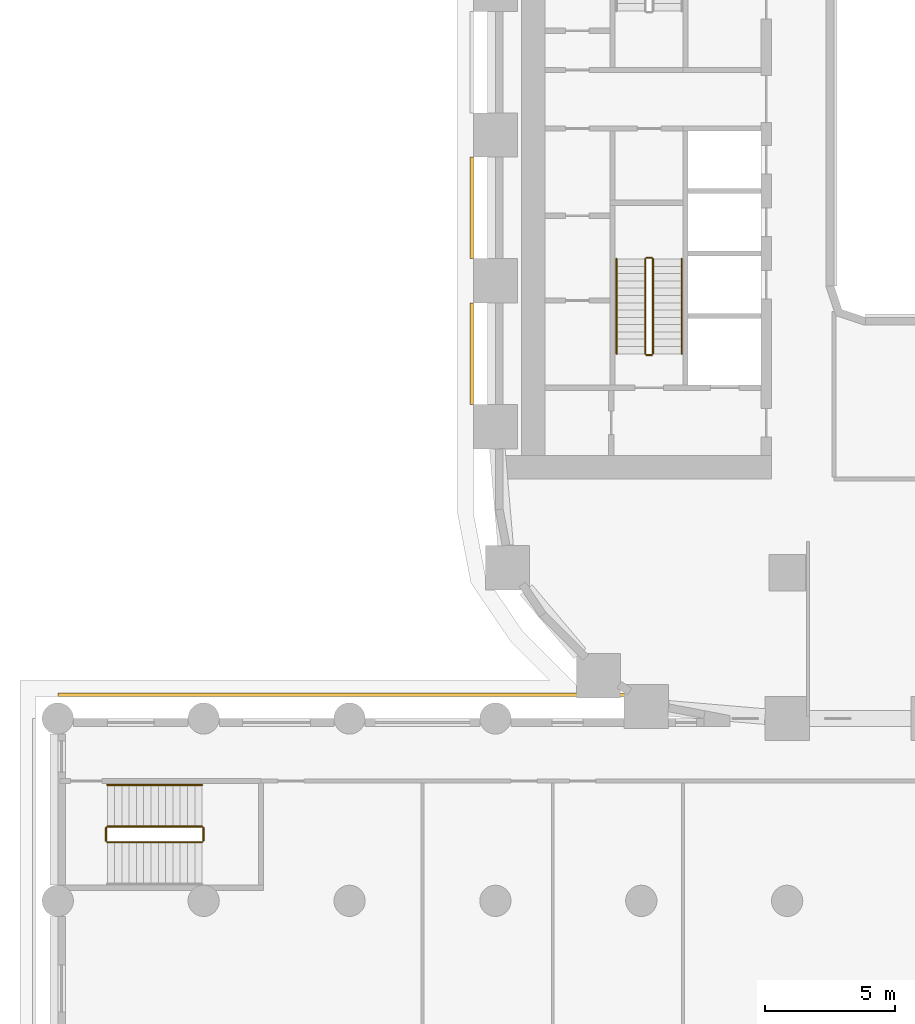
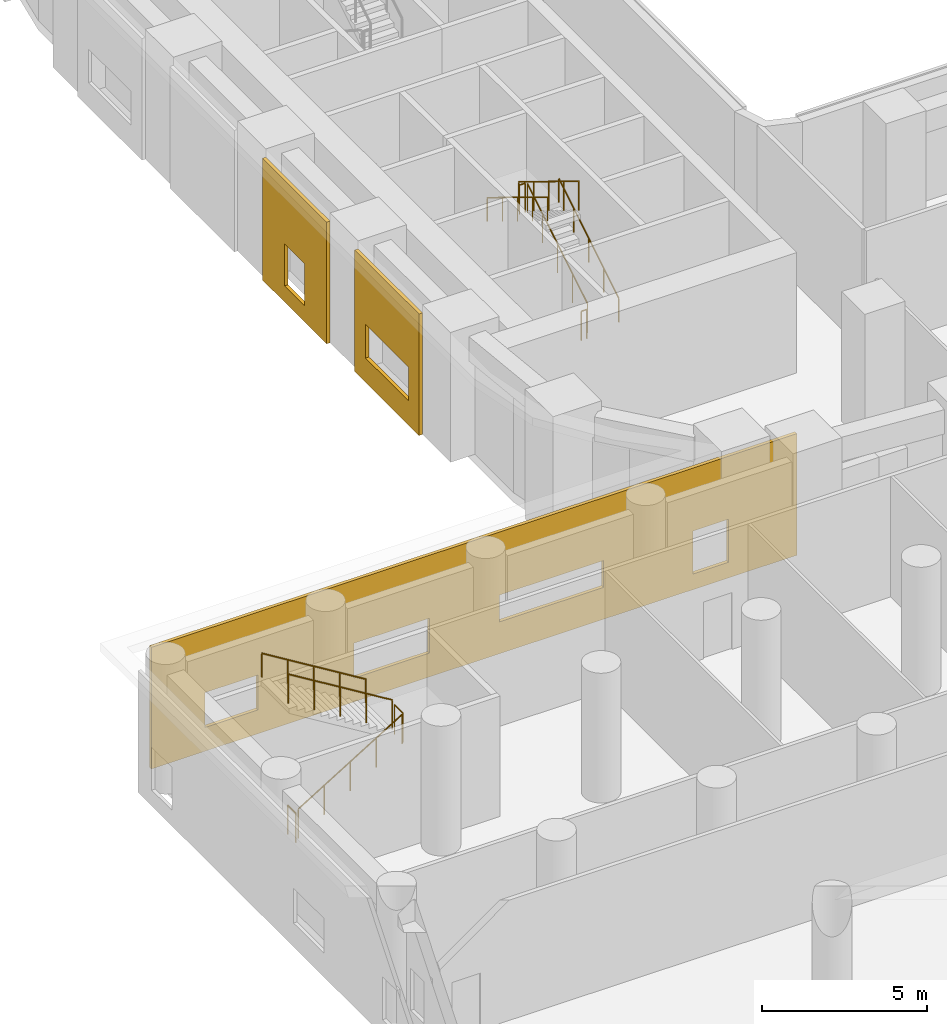
# One storey, part 19 of 24: 11 railings, 3 coverings.
"""IFC4 building model written with IfcOpenShell, lengths in metres."""

from ifc_helpers import new_model, si_unit, direction, frame, origin, origin_2d, place, context, subcontext, project, spatial, polyline, circle, outline, extrude, material, layer, layer_set, type_object, element, save


model = new_model("IFC4")

# Units and contexts
model_context = context("Model", 3, precision=1e-05, world=origin(), true_north=direction((0.0, 1.0)))
body_context = subcontext(model_context, "Body", "Model", "MODEL_VIEW")
ifc_project = project(units=[si_unit("LENGTHUNIT", "METRE"), si_unit("AREAUNIT", "SQUARE_METRE"), si_unit("VOLUMEUNIT", "CUBIC_METRE"), si_unit("PLANEANGLEUNIT", "RADIAN"), si_unit("MASSUNIT", "GRAM", prefix="KILO")], contexts=[model_context])

# Site, building, storey
site_placement = place(None, origin())
site = spatial("IfcSite", under=ifc_project, at=site_placement, CompositionType="ELEMENT")
building_placement = place(site_placement, origin())
building = spatial("IfcBuilding", under=site, at=building_placement, Name="Kiln Ring Residences", CompositionType="ELEMENT")
storey_placement = place(building_placement, frame((0.0, 0.0, 11.300048828125)))
storey = spatial("IfcBuildingStorey", under=building, at=storey_placement, Name="L02", CompositionType="ELEMENT", Elevation=11.300048828125)

# Railings
ifc_material_1 = material(Name="Stainless steel", Category="steel")
railing_type_1 = type_object("IfcRailingType", Name="CORE-STAIR-GUARD", PredefinedType="GUARDRAIL", material=ifc_material_1)
railing_1_placement = place(storey_placement, frame((-21.949951171875, -8.39990234375, 0.17138671875)))
element("IfcRailing", 1, at=railing_1_placement, inside=storey, type_object=railing_type_1, Name="L02 W-STS stair guard 1", PredefinedType="GUARDRAIL", context=body_context, shape_type="SweptSolid", body=[
    extrude(circle(Radius=0.02392578125, at=origin_2d()), frame((0.0, 0.0, 1.076171875), z_axis=(0.0, 0.852850264322, 0.5221555579), x_axis=(-1.0, 0.0, 0.0)), (0.0, 0.0, 1.0), 4.267822265625),
    extrude(circle(Radius=0.02099609375, at=origin_2d()), origin(), (0.0, 0.0, 1.0), 1.052001953125),
    extrude(circle(Radius=0.02099609375, at=origin_2d()), frame((0.0, 0.909912109375, 0.55712890625)), (0.0, 0.0, 1.0), 1.052001953125),
    extrude(circle(Radius=0.02099609375, at=origin_2d()), frame((0.0, 1.81982421875, 1.1142578125)), (0.0, 0.0, 1.0), 1.052001953125),
    extrude(circle(Radius=0.02099609375, at=origin_2d()), frame((0.0, 2.72998046875, 1.67138671875)), (0.0, 0.0, 1.0), 1.052001953125),
    extrude(circle(Radius=0.02099609375, at=origin_2d()), frame((0.0, 3.639892578125, 2.228515625)), (0.0, 0.0, 1.0), 1.052001953125),
])
railing_2_placement = place(storey_placement, frame((-22.0, -4.7099609375, 2.39990234375)))
element("IfcRailing", 2, at=railing_2_placement, inside=storey, type_object=railing_type_1, Name="L02 W-STS stair guard 2", PredefinedType="GUARDRAIL", context=body_context, shape_type="SweptSolid", body=[
    extrude(circle(Radius=0.02392578125, at=origin_2d()), frame((0.0, 0.0, 1.076171875), z_axis=(-1.0, 0.0, 0.0), x_axis=(0.0, -1.0, 0.0)), (0.0, 0.0, 1.0), 0.199951171875),
    extrude(circle(Radius=0.02099609375, at=origin_2d()), origin(), (0.0, 0.0, 1.0), 1.052001953125),
    extrude(circle(Radius=0.02099609375, at=origin_2d()), frame((-0.199951171875, 0.0, 0.0)), (0.0, 0.0, 1.0), 1.052001953125),
])
railing_3_placement = place(storey_placement, frame((-22.25, -4.760009765625, 2.5712890625)))
element("IfcRailing", 3, at=railing_3_placement, inside=storey, type_object=railing_type_1, Name="L02 W-STS stair guard 3", PredefinedType="GUARDRAIL", context=body_context, shape_type="SweptSolid", body=[
    extrude(circle(Radius=0.02392578125, at=origin_2d()), frame((0.0, 0.0, 1.076171875), z_axis=(0.0, -0.852824790078, 0.522197163366), x_axis=(1.0, 0.0, 0.0)), (0.0, 0.0, 1.0), 4.26806640625),
    extrude(circle(Radius=0.02099609375, at=origin_2d()), origin(), (0.0, 0.0, 1.0), 1.052001953125),
    extrude(circle(Radius=0.02099609375, at=origin_2d()), frame((0.0, -0.909912109375, 0.55712890625)), (0.0, 0.0, 1.0), 1.052001953125),
    extrude(circle(Radius=0.02099609375, at=origin_2d()), frame((0.0, -1.81982421875, 1.1142578125)), (0.0, 0.0, 1.0), 1.052001953125),
    extrude(circle(Radius=0.02099609375, at=origin_2d()), frame((0.0, -2.72998046875, 1.671630859375)), (0.0, 0.0, 1.0), 1.052001953125),
    extrude(circle(Radius=0.02099609375, at=origin_2d()), frame((0.0, -3.639892578125, 2.228759765625)), (0.0, 0.0, 1.0), 1.052001953125),
])
railing_4_placement = place(storey_placement, frame((-22.0, -8.449951171875, 0.0)))
element("IfcRailing", 4, at=railing_4_placement, inside=storey, type_object=railing_type_1, Name="L02 W-STS stair guard 4", PredefinedType="GUARDRAIL", context=body_context, shape_type="SweptSolid", body=[
    extrude(circle(Radius=0.02392578125, at=origin_2d()), frame((0.0, 0.0, 1.076171875), z_axis=(-1.0, 0.0, 0.0), x_axis=(0.0, -1.0, 0.0)), (0.0, 0.0, 1.0), 0.199951171875),
    extrude(circle(Radius=0.02099609375, at=origin_2d()), origin(), (0.0, 0.0, 1.0), 1.052001953125),
    extrude(circle(Radius=0.02099609375, at=origin_2d()), frame((-0.199951171875, 0.0, 0.0)), (0.0, 0.0, 1.0), 1.052001953125),
])
ifc_material_2 = material(Name="Stainless steel", Category="steel")
railing_type_2 = type_object("IfcRailingType", Name="CORE-STAIR-HANDRAIL", PredefinedType="HANDRAIL", material=ifc_material_2)
railing_5_placement = place(storey_placement, frame((-20.85009765625, -8.39990234375, 0.17138671875)))
element("IfcRailing", 5, at=railing_5_placement, inside=storey, type_object=railing_type_2, Name="L02 W-STS stair handrail 1", PredefinedType="HANDRAIL", context=body_context, shape_type="SweptSolid", body=[
    extrude(circle(Radius=0.02392578125, at=origin_2d()), frame((0.0, 0.0, 0.8759765625), z_axis=(0.0, 0.852850264322, 0.5221555579), x_axis=(-1.0, 0.0, 0.0)), (0.0, 0.0, 1.0), 4.267822265625),
    extrude(circle(Radius=0.02099609375, at=origin_2d()), origin(), (0.0, 0.0, 1.0), 0.851806640625),
    extrude(circle(Radius=0.02099609375, at=origin_2d()), frame((0.0, 0.909912109375, 0.55712890625)), (0.0, 0.0, 1.0), 0.851806640625),
    extrude(circle(Radius=0.02099609375, at=origin_2d()), frame((0.0, 1.81982421875, 1.1142578125)), (0.0, 0.0, 1.0), 0.851806640625),
    extrude(circle(Radius=0.02099609375, at=origin_2d()), frame((0.0, 2.72998046875, 1.67138671875)), (0.0, 0.0, 1.0), 0.851806640625),
    extrude(circle(Radius=0.02099609375, at=origin_2d()), frame((0.0, 3.639892578125, 2.228515625)), (0.0, 0.0, 1.0), 0.851806640625),
])
railing_6_placement = place(storey_placement, frame((-23.35009765625, -4.760009765625, 2.5712890625)))
element("IfcRailing", 6, at=railing_6_placement, inside=storey, type_object=railing_type_2, Name="L02 W-STS stair handrail 2", PredefinedType="HANDRAIL", context=body_context, shape_type="SweptSolid", body=[
    extrude(circle(Radius=0.02392578125, at=origin_2d()), frame((0.0, 0.0, 0.8759765625), z_axis=(0.0, -0.852824790078, 0.522197163366), x_axis=(1.0, 0.0, 0.0)), (0.0, 0.0, 1.0), 4.26806640625),
    extrude(circle(Radius=0.02099609375, at=origin_2d()), origin(), (0.0, 0.0, 1.0), 0.851806640625),
    extrude(circle(Radius=0.02099609375, at=origin_2d()), frame((0.0, -0.909912109375, 0.55712890625)), (0.0, 0.0, 1.0), 0.851806640625),
    extrude(circle(Radius=0.02099609375, at=origin_2d()), frame((0.0, -1.81982421875, 1.1142578125)), (0.0, 0.0, 1.0), 0.851806640625),
    extrude(circle(Radius=0.02099609375, at=origin_2d()), frame((0.0, -2.72998046875, 1.671630859375)), (0.0, 0.0, 1.0), 0.851806640625),
    extrude(circle(Radius=0.02099609375, at=origin_2d()), frame((0.0, -3.639892578125, 2.228759765625)), (0.0, 0.0, 1.0), 0.851806640625),
])
ifc_material_3 = material(Name="Stainless steel", Category="steel")
railing_type_3 = type_object("IfcRailingType", Name="PODIUM-STAIR-GUARD", PredefinedType="GUARDRAIL", material=ifc_material_3)
railing_7_placement = place(storey_placement, frame((-42.89990234375, -27.14990234375, 0.17138671875)))
element("IfcRailing", 7, at=railing_7_placement, inside=storey, type_object=railing_type_3, Name="L02 PS-W stair guard 1", PredefinedType="GUARDRAIL", context=body_context, shape_type="SweptSolid", body=[
    extrude(circle(Radius=0.02392578125, at=origin_2d()), frame((0.0, 0.0, 1.076171875), z_axis=(0.852850264322, 0.0, 0.5221555579), x_axis=(0.0, 1.0, 0.0)), (0.0, 0.0, 1.0), 4.267822265625),
    extrude(circle(Radius=0.02099609375, at=origin_2d()), origin(), (0.0, 0.0, 1.0), 1.052001953125),
    extrude(circle(Radius=0.02099609375, at=origin_2d()), frame((0.909912109375, 0.0, 0.55712890625)), (0.0, 0.0, 1.0), 1.052001953125),
    extrude(circle(Radius=0.02099609375, at=origin_2d()), frame((1.81982421875, 0.0, 1.1142578125)), (0.0, 0.0, 1.0), 1.052001953125),
    extrude(circle(Radius=0.02099609375, at=origin_2d()), frame((2.72998046875, 0.0, 1.67138671875)), (0.0, 0.0, 1.0), 1.052001953125),
    extrude(circle(Radius=0.02099609375, at=origin_2d()), frame((3.639892578125, 0.0, 2.228515625)), (0.0, 0.0, 1.0), 1.052001953125),
])
railing_8_placement = place(storey_placement, frame((-39.2099609375, -27.10009765625, 2.39990234375)))
element("IfcRailing", 8, at=railing_8_placement, inside=storey, type_object=railing_type_3, Name="L02 PS-W stair guard 2", PredefinedType="GUARDRAIL", context=body_context, shape_type="SweptSolid", body=[
    extrude(circle(Radius=0.02392578125, at=origin_2d()), frame((0.0, 0.0, 1.076171875), z_axis=(0.0, 1.0, 0.0), x_axis=(-1.0, 0.0, 0.0)), (0.0, 0.0, 1.0), 0.5),
    extrude(circle(Radius=0.02099609375, at=origin_2d()), origin(), (0.0, 0.0, 1.0), 1.052001953125),
    extrude(circle(Radius=0.02099609375, at=origin_2d()), frame((0.0, 0.5, 0.0)), (0.0, 0.0, 1.0), 1.052001953125),
])
railing_9_placement = place(storey_placement, frame((-39.260009765625, -26.550048828125, 2.5712890625)))
element("IfcRailing", 9, at=railing_9_placement, inside=storey, type_object=railing_type_3, Name="L02 PS-W stair guard 3", PredefinedType="GUARDRAIL", context=body_context, shape_type="SweptSolid", body=[
    extrude(circle(Radius=0.02392578125, at=origin_2d()), frame((0.0, 0.0, 1.076171875), z_axis=(-0.852824790078, 0.0, 0.522197163366), x_axis=(0.0, -1.0, 0.0)), (0.0, 0.0, 1.0), 4.26806640625),
    extrude(circle(Radius=0.02099609375, at=origin_2d()), origin(), (0.0, 0.0, 1.0), 1.052001953125),
    extrude(circle(Radius=0.02099609375, at=origin_2d()), frame((-0.909912109375, 0.0, 0.55712890625)), (0.0, 0.0, 1.0), 1.052001953125),
    extrude(circle(Radius=0.02099609375, at=origin_2d()), frame((-1.81982421875, 0.0, 1.1142578125)), (0.0, 0.0, 1.0), 1.052001953125),
    extrude(circle(Radius=0.02099609375, at=origin_2d()), frame((-2.72998046875, 0.0, 1.671630859375)), (0.0, 0.0, 1.0), 1.052001953125),
    extrude(circle(Radius=0.02099609375, at=origin_2d()), frame((-3.639892578125, 0.0, 2.228759765625)), (0.0, 0.0, 1.0), 1.052001953125),
])
railing_10_placement = place(storey_placement, frame((-42.949951171875, -27.10009765625, 0.0)))
element("IfcRailing", 10, at=railing_10_placement, inside=storey, type_object=railing_type_3, Name="L02 PS-W stair guard 4", PredefinedType="GUARDRAIL", context=body_context, shape_type="SweptSolid", body=[
    extrude(circle(Radius=0.02392578125, at=origin_2d()), frame((0.0, 0.0, 1.076171875), z_axis=(0.0, 1.0, 0.0), x_axis=(-1.0, 0.0, 0.0)), (0.0, 0.0, 1.0), 0.5),
    extrude(circle(Radius=0.02099609375, at=origin_2d()), origin(), (0.0, 0.0, 1.0), 1.052001953125),
    extrude(circle(Radius=0.02099609375, at=origin_2d()), frame((0.0, 0.5, 0.0)), (0.0, 0.0, 1.0), 1.052001953125),
])
ifc_material_4 = material(Name="Stainless steel", Category="steel")
railing_type_4 = type_object("IfcRailingType", Name="PODIUM-STAIR-HANDRAIL", PredefinedType="HANDRAIL", material=ifc_material_4)
railing_11_placement = place(storey_placement, frame((-39.260009765625, -24.949951171875, 2.5712890625)))
element("IfcRailing", 11, at=railing_11_placement, inside=storey, type_object=railing_type_4, Name="L02 PS-W stair handrail 2", PredefinedType="HANDRAIL", context=body_context, shape_type="SweptSolid", body=[
    extrude(circle(Radius=0.02392578125, at=origin_2d()), frame((0.0, 0.0, 0.8759765625), z_axis=(-0.852824790078, 0.0, 0.522197163366), x_axis=(0.0, -1.0, 0.0)), (0.0, 0.0, 1.0), 4.26806640625),
    extrude(circle(Radius=0.02099609375, at=origin_2d()), origin(), (0.0, 0.0, 1.0), 0.851806640625),
    extrude(circle(Radius=0.02099609375, at=origin_2d()), frame((-0.909912109375, 0.0, 0.55712890625)), (0.0, 0.0, 1.0), 0.851806640625),
    extrude(circle(Radius=0.02099609375, at=origin_2d()), frame((-1.81982421875, 0.0, 1.1142578125)), (0.0, 0.0, 1.0), 0.851806640625),
    extrude(circle(Radius=0.02099609375, at=origin_2d()), frame((-2.72998046875, 0.0, 1.671630859375)), (0.0, 0.0, 1.0), 0.851806640625),
    extrude(circle(Radius=0.02099609375, at=origin_2d()), frame((-3.639892578125, 0.0, 2.228759765625)), (0.0, 0.0, 1.0), 0.851806640625),
])

# Coverings
ifc_material_5 = material(Name="Brick masonry, dark clay brick", Category="masonry")
ifc_layer = layer(ifc_material_5, 0.1201171875)
ifc_layer_set = layer_set([ifc_layer], Name="RAINSCREEN PANEL 120")
covering_type = type_object("IfcCoveringType", Name="RAINSCREEN PANEL 120", PredefinedType="CLADDING", material=ifc_layer_set)
covering_1_placement = place(storey_placement, frame((-28.909912109375, -0.85009765625, 0.0), z_axis=(0.0, 0.0, 1.0), x_axis=(0.0, -1.0, 0.0)))
element("IfcCovering", 12, at=covering_1_placement, inside=storey, type_object=covering_type, Name="RAINSCREEN L02", PredefinedType="CLADDING", context=body_context, shape_type="SweptSolid", body=[
    extrude(outline(polyline([(0.0, 0.0), (3.89990234375, 0.0), (3.89990234375, 4.5), (0.0, 4.5), (0.0, 0.0)]), holes=[polyline([(1.35009765625, 2.14990234375), (1.35009765625, 0.599853515625), (2.550048828125, 0.599853515625), (2.550048828125, 2.14990234375), (1.35009765625, 2.14990234375)])]), frame((0.0, 0.06005859375, 0.0), z_axis=(0.0, -1.0, 0.0), x_axis=(1.0, 0.0, 0.0)), (0.0, 0.0, 1.0), 0.1201171875),
])
covering_2_placement = place(storey_placement, frame((-28.909912109375, -6.449951171875, 0.0), z_axis=(0.0, 0.0, 1.0), x_axis=(0.0, -1.0, 0.0)))
element("IfcCovering", 13, at=covering_2_placement, inside=storey, type_object=covering_type, Name="RAINSCREEN L02", PredefinedType="CLADDING", context=body_context, shape_type="SweptSolid", body=[
    extrude(outline(polyline([(0.0, 0.0), (3.89990234375, 0.0), (3.89990234375, 4.5), (0.0, 4.5), (0.0, 0.0)]), holes=[polyline([(0.64990234375, 2.14990234375), (0.64990234375, 0.89990234375), (3.25, 0.89990234375), (3.25, 2.14990234375), (0.64990234375, 2.14990234375)])]), frame((0.0, 0.06005859375, 0.0), z_axis=(0.0, -1.0, 0.0), x_axis=(1.0, 0.0, 0.0)), (0.0, 0.0, 1.0), 0.1201171875),
])
covering_3_placement = place(storey_placement, frame((-22.208740234375, -21.489990234375, 0.0), z_axis=(0.0, 0.0, 1.0), x_axis=(-1.0, 0.0, 0.0)))
element("IfcCovering", 14, at=covering_3_placement, inside=storey, type_object=covering_type, Name="RAINSCREEN L02", PredefinedType="CLADDING", context=body_context, shape_type="SweptSolid", body=[
    extrude(outline(polyline([(0.0, 0.0), (22.59130859375, 0.0), (22.59130859375, 4.5), (0.0, 4.5), (0.0, 0.0)]), holes=[polyline([(3.640625, 0.579833984375), (3.640625, 2.169921875), (2.400634765625, 2.169921875), (2.400634765625, 0.579833984375), (3.640625, 0.579833984375)]), polyline([(15.51123046875, 0.8798828125), (15.51123046875, 2.169921875), (12.871337890625, 2.169921875), (12.871337890625, 0.8798828125), (15.51123046875, 0.8798828125)]), polyline([(20.711181640625, 0.8798828125), (20.711181640625, 2.169921875), (18.871337890625, 2.169921875), (18.871337890625, 0.8798828125), (20.711181640625, 0.8798828125)]), polyline([(10.411376953125, 1.179931640625), (10.411376953125, 2.169921875), (6.771240234375, 2.169921875), (6.771240234375, 1.179931640625), (10.411376953125, 1.179931640625)])]), frame((0.0, 0.06005859375, 0.0), z_axis=(0.0, -1.0, 0.0), x_axis=(1.0, 0.0, 0.0)), (0.0, 0.0, 1.0), 0.1201171875),
])

save(model, "model.ifc")
